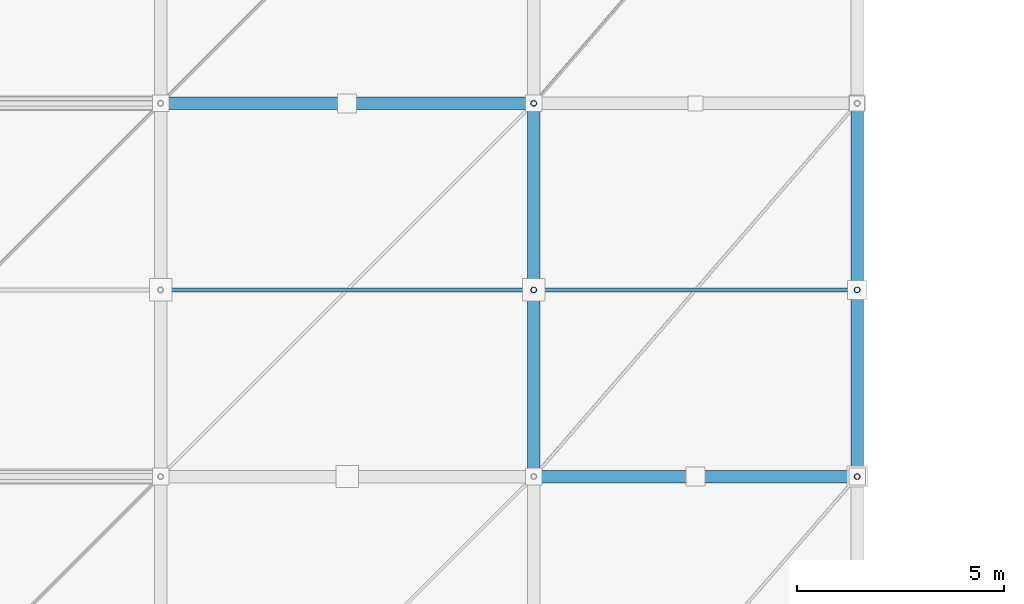
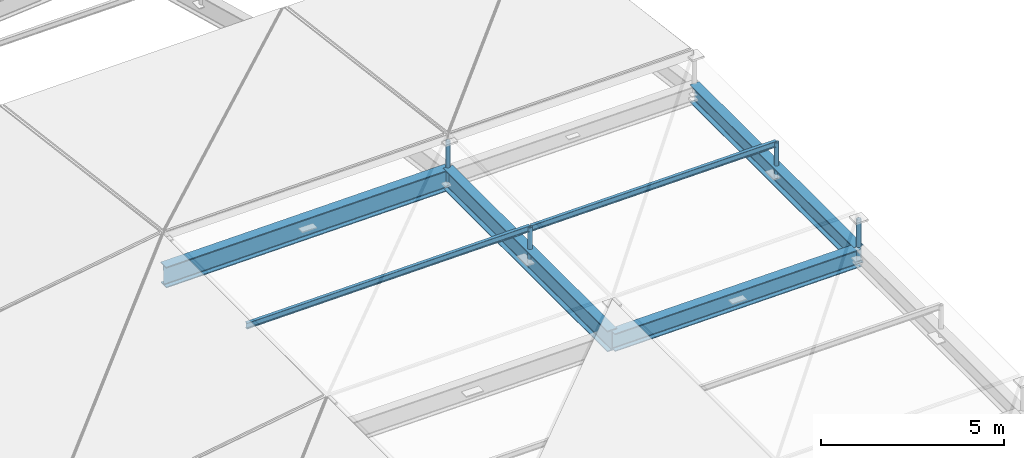
# One storey, part 55 of 80: 6 members, 4 beams.
"""IFC4 building model written with IfcOpenShell, lengths in metres."""

from ifc_helpers import new_model, si_unit, direction, frame, origin, origin_2d, place, context, subcontext, project, spatial, hollow_circle, i_section, extrude, material, material_profile, profile_set, type_object, element, save


model = new_model("IFC4")

# Units and contexts
model_context = context("Model", 3, precision=1e-05, world=origin(), true_north=direction((0.0, 1.0)))
body_context = subcontext(model_context, "Body", "Model", "MODEL_VIEW")
ifc_project = project(units=[si_unit("LENGTHUNIT", "METRE"), si_unit("AREAUNIT", "SQUARE_METRE"), si_unit("VOLUMEUNIT", "CUBIC_METRE"), si_unit("PLANEANGLEUNIT", "RADIAN"), si_unit("MASSUNIT", "GRAM", prefix="KILO")], contexts=[model_context])

# Site, building, storey
site_placement = place(None, origin())
site = spatial("IfcSite", under=ifc_project, at=site_placement, CompositionType="ELEMENT")
building_placement = place(site_placement, origin())
building = spatial("IfcBuilding", under=site, at=building_placement, Name="Barlavento Convention Centre", CompositionType="ELEMENT")
storey_placement = place(building_placement, frame((0.0, 0.0, 29.800048828125)))
storey = spatial("IfcBuildingStorey", under=building, at=storey_placement, Name="RF", CompositionType="ELEMENT", Elevation=29.800048828125)

# Beams
ifc_material_1 = material(Name="Steel S355", Category="steel")
ifc_material_profile_1 = material_profile(ifc_material_1, i_section(OverallWidth=0.300048828125, OverallDepth=0.60009765625, WebThickness=0.015380859375, FlangeThickness=0.030029296875, FilletRadius=0.027099609375, at=origin_2d()), Name="HEB 600")
ifc_profile_set_1 = profile_set([ifc_material_profile_1], Name="Steel S355")
beam_type_1 = type_object("IfcBeamType", Name="STR-BM-CANT-HEB600", PredefinedType="BEAM", material=ifc_profile_set_1)
beam_1_placement = place(storey_placement, frame((63.0048828125, 18.0, 0.286865234375), z_axis=(0.999894739787, 0.0, 0.014508940219), x_axis=(0.0, 1.0, 0.0)))
element("IfcBeam", 1, at=beam_1_placement, inside=storey, type_object=beam_type_1, Name="Congress roof truss space frame chord", PredefinedType="BEAM", context=body_context, shape_type="SweptSolid", body=[
    extrude(i_section(OverallWidth=0.300048828125, OverallDepth=0.60009765625, WebThickness=0.015380859375, FlangeThickness=0.030029296875, FilletRadius=0.027099609375, at=origin_2d()), origin(), (0.0, 0.0, 1.0), 7.790771484375),
])
beam_2_placement = place(storey_placement, frame((70.800048828125, 18.0048828125, 0.39990234375), z_axis=(0.0, 1.0, 0.0), x_axis=(-1.0, 0.0, 0.0)))
element("IfcBeam", 2, at=beam_2_placement, inside=storey, type_object=beam_type_1, Name="Congress roof truss space frame chord", PredefinedType="BEAM", context=body_context, shape_type="SweptSolid", body=[
    extrude(i_section(OverallWidth=0.300048828125, OverallDepth=0.60009765625, WebThickness=0.015380859375, FlangeThickness=0.030029296875, FilletRadius=0.027099609375, at=origin_2d()), origin(), (0.0, 0.0, 1.0), 8.990234375),
])
ifc_material_2 = material(Name="Steel S460", Category="steel")
ifc_material_profile_2 = material_profile(ifc_material_2, i_section(OverallWidth=0.300048828125, OverallDepth=0.699951171875, WebThickness=0.01708984375, FlangeThickness=0.031982421875, FilletRadius=0.027099609375, at=origin_2d()), Name="HEB 700")
ifc_profile_set_2 = profile_set([ifc_material_profile_2], Name="Steel S460")
beam_type_2 = type_object("IfcBeamType", Name="STR-BM-TRUSS-TOP-HEB700", PredefinedType="BEAM", material=ifc_profile_set_2)
beam_3_placement = place(storey_placement, frame((54.0048828125, 27.0, 0.15625), z_axis=(0.999894477056, 0.0, 0.014527035228), x_axis=(0.0, 1.0, 0.0)))
element("IfcBeam", 3, at=beam_3_placement, inside=storey, type_object=beam_type_2, Name="Congress roof truss space frame chord", PredefinedType="BEAM", context=body_context, shape_type="SweptSolid", body=[
    extrude(i_section(OverallWidth=0.300048828125, OverallDepth=0.699951171875, WebThickness=0.01708984375, FlangeThickness=0.031982421875, FilletRadius=0.027099609375, at=origin_2d()), origin(), (0.0, 0.0, 1.0), 8.9912109375),
])
beam_4_placement = place(storey_placement, frame((63.0, 18.0048828125, 0.286865234375), z_axis=(0.0, 1.0, 0.0), x_axis=(-1.0, 0.0, 0.0)))
element("IfcBeam", 4, at=beam_4_placement, inside=storey, type_object=beam_type_2, Name="Congress roof truss space frame chord", PredefinedType="BEAM", context=body_context, shape_type="SweptSolid", body=[
    extrude(i_section(OverallWidth=0.300048828125, OverallDepth=0.699951171875, WebThickness=0.01708984375, FlangeThickness=0.031982421875, FilletRadius=0.027099609375, at=origin_2d()), origin(), (0.0, 0.0, 1.0), 8.990234375),
])

# Members
ifc_material_profile_3 = material_profile(ifc_material_1, hollow_circle(Radius=0.06982421875, WallThickness=0.008056640625, at=origin_2d()), Name="CHS 139.7x8.0")
ifc_profile_set_3 = profile_set([ifc_material_profile_3], Name="Steel S355")
member_type_1 = type_object("IfcMemberType", Name="STR-MEM-DIAG-CHS139", PredefinedType="BRACE", material=ifc_profile_set_3)
for number, where, z_axis, x_axis, name in (
    (5, (63.0, 27.0, 0.136962890625), (0.0, 0.0, 1.0), (1.0, 0.0, 0.0), "Congress space frame vertical node post TD04"),
    (6, (70.800048828125, 18.0, 0.25), (0.0, 0.0, 1.0), (1.0, 0.0, 0.0), "Congress space frame vertical node post TD04"),
):
    element("IfcMember", number, at=place(storey_placement, frame(where, z_axis=z_axis, x_axis=x_axis)), inside=storey, type_object=member_type_1, Name=name, PredefinedType="BRACE", context=body_context, shape_type="SweptSolid", body=[
        extrude(hollow_circle(Radius=0.06982421875, WallThickness=0.008056640625, at=origin_2d()), origin(), (0.0, 0.0, 1.0), 1.369873046875),
    ])
member_1_placement = place(storey_placement, frame((63.0, 22.5, 0.166748046875), z_axis=(0.0, 0.0, 1.0), x_axis=(1.0, 0.0, 0.0)))
element("IfcMember", 7, at=member_1_placement, inside=storey, type_object=member_type_1, Name="Congress space frame vertical node post TD04", PredefinedType="BRACE", context=body_context, shape_type="SweptSolid", body=[
    extrude(hollow_circle(Radius=0.06982421875, WallThickness=0.008056640625, at=origin_2d()), origin(), (0.0, 0.0, 1.0), 1.19677734375),
])
member_2_placement = place(storey_placement, frame((70.800048828125, 22.5, 0.280029296875), z_axis=(0.0, 0.0, 1.0), x_axis=(1.0, 0.0, 0.0)))
element("IfcMember", 8, at=member_2_placement, inside=storey, type_object=member_type_1, Name="Congress space frame vertical node post TD04", PredefinedType="BRACE", context=body_context, shape_type="SweptSolid", body=[
    extrude(hollow_circle(Radius=0.06982421875, WallThickness=0.008056640625, at=origin_2d()), origin(), (0.0, 0.0, 1.0), 1.181640625),
])
ifc_material_profile_4 = material_profile(ifc_material_1, i_section(OverallWidth=0.10009765625, OverallDepth=0.199951171875, WebThickness=0.005615234375, FlangeThickness=0.008544921875, FilletRadius=0.011962890625, at=origin_2d()), Name="IPE 200")
ifc_profile_set_4 = profile_set([ifc_material_profile_4], Name="Steel S355")
member_type_2 = type_object("IfcMemberType", Name="STR-MEM-PUR-IPE200", PredefinedType="PURLIN", material=ifc_profile_set_4)
member_3_placement = place(storey_placement, frame((54.02001953125, 22.5, 1.193603515625), z_axis=(0.999894950811, 0.0, 0.014494390023), x_axis=(0.0, 1.0, 0.0)))
element("IfcMember", 9, at=member_3_placement, inside=storey, type_object=member_type_2, Name="Congress roof intermediate purlin PR01", PredefinedType="PURLIN", context=body_context, shape_type="SweptSolid", body=[
    extrude(i_section(OverallWidth=0.10009765625, OverallDepth=0.199951171875, WebThickness=0.005615234375, FlangeThickness=0.008544921875, FilletRadius=0.011962890625, at=origin_2d()), origin(), (0.0, 0.0, 1.0), 8.9609375),
])
member_4_placement = place(storey_placement, frame((63.02001953125, 22.5, 1.30908203125), z_axis=(0.999894837982, 0.0, 0.014502171474), x_axis=(0.0, 1.0, 0.0)))
element("IfcMember", 10, at=member_4_placement, inside=storey, type_object=member_type_2, Name="Congress roof intermediate purlin PR01", PredefinedType="PURLIN", context=body_context, shape_type="SweptSolid", body=[
    extrude(i_section(OverallWidth=0.10009765625, OverallDepth=0.199951171875, WebThickness=0.005615234375, FlangeThickness=0.008544921875, FilletRadius=0.011962890625, at=origin_2d()), origin(), (0.0, 0.0, 1.0), 7.7607421875),
])

save(model, "model.ifc")
